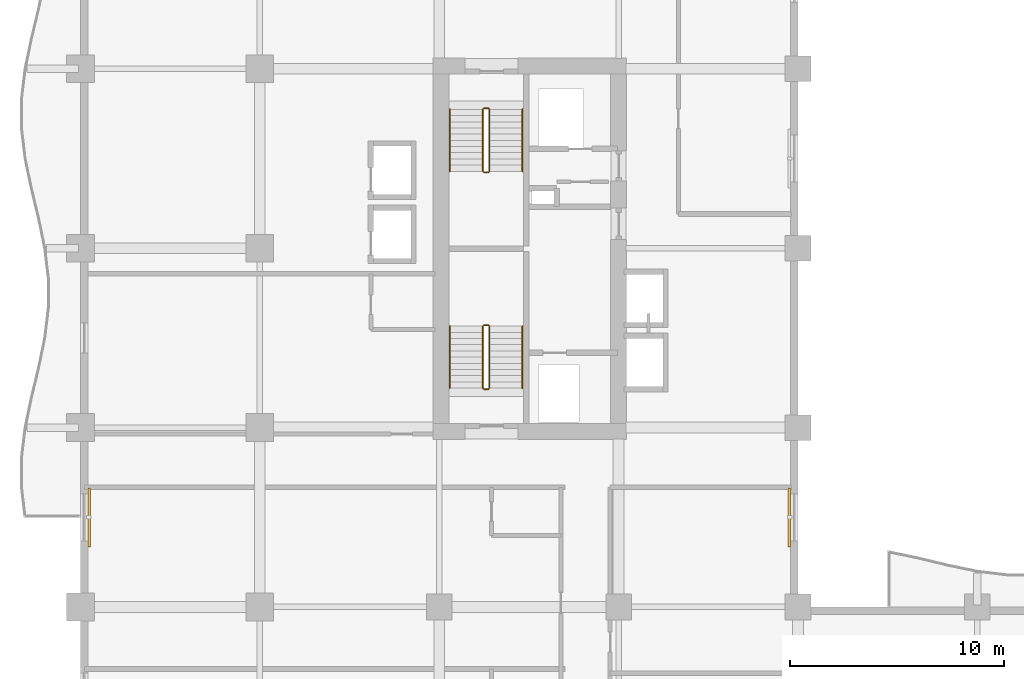
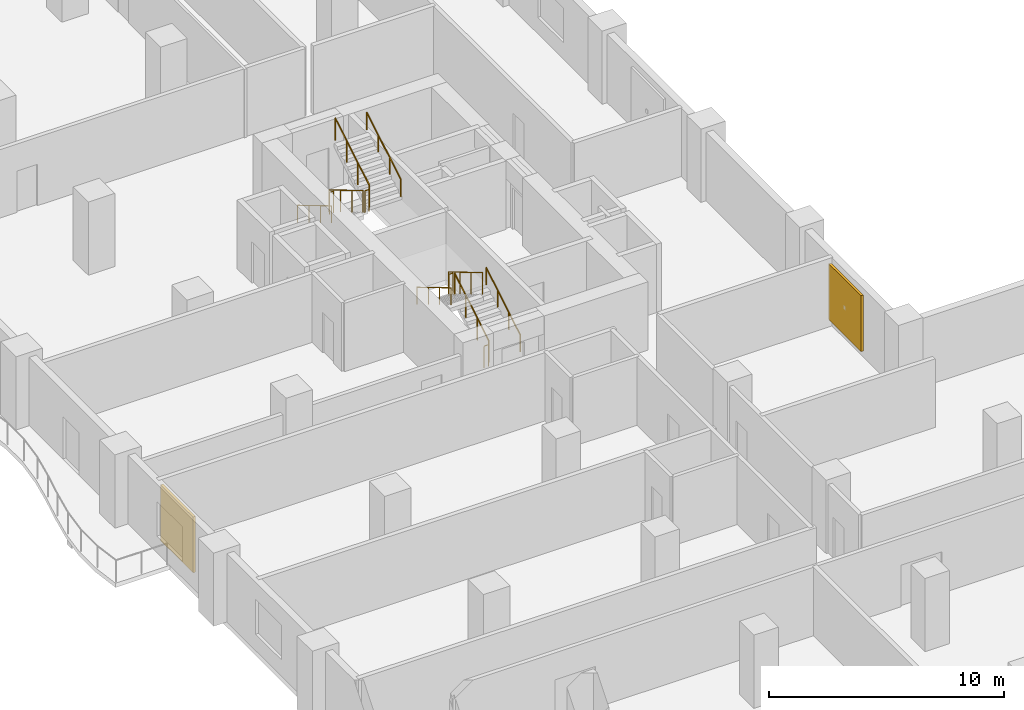
# One storey, part 14 of 15: 12 railings, 2 shading devices.
"""IFC4 building model written with IfcOpenShell, lengths in metres."""

from ifc_helpers import new_model, si_unit, direction, frame, origin, origin_2d, place, context, subcontext, project, spatial, rectangle, circle, extrude, material, layer, layer_set, type_object, element, save


model = new_model("IFC4")

# Units and contexts
model_context = context("Model", 3, precision=1e-05, world=origin(), true_north=direction((0.0, 1.0)))
body_context = subcontext(model_context, "Body", "Model", "MODEL_VIEW")
ifc_project = project(units=[si_unit("LENGTHUNIT", "METRE"), si_unit("AREAUNIT", "SQUARE_METRE"), si_unit("VOLUMEUNIT", "CUBIC_METRE"), si_unit("PLANEANGLEUNIT", "RADIAN"), si_unit("MASSUNIT", "GRAM", prefix="KILO")], contexts=[model_context])

# Site, building, storey
site_placement = place(None, origin())
site = spatial("IfcSite", under=ifc_project, at=site_placement, CompositionType="ELEMENT")
building_placement = place(site_placement, origin())
building = spatial("IfcBuilding", under=site, at=building_placement, Name="Koriwani Terraces Tower", CompositionType="ELEMENT")
storey_placement = place(building_placement, frame((0.0, 0.0, 138.0)))
storey = spatial("IfcBuildingStorey", under=building, at=storey_placement, Name="L33", CompositionType="ELEMENT", Elevation=138.0)

# Railings
ifc_material_1 = material(Name="Steel ASTM A572 Grade 50", Category="steel")
railing_type_1 = type_object("IfcRailingType", Name="GUARD_STAIR_WELL_1120", PredefinedType="GUARDRAIL", material=ifc_material_1)
railing_1_placement = place(storey_placement, frame((19.14990234375, 43.85009765625, 0.172607421875)))
element("IfcRailing", 1, at=railing_1_placement, inside=storey, type_object=railing_type_1, Name="L33 ST-W1 stair guard 1", PredefinedType="GUARDRAIL", context=body_context, shape_type="SweptSolid", body=[
    extrude(circle(Radius=0.02392578125, at=origin_2d()), frame((0.0, 0.0, 1.1259765625), z_axis=(0.0, 0.859141464434, 0.511738159696), x_axis=(-1.0, 0.0, 0.0)), (0.0, 0.0, 1.0), 3.375244140625),
    extrude(circle(Radius=0.02099609375, at=origin_2d()), origin(), (0.0, 0.0, 1.0), 1.101806640625),
    extrude(circle(Radius=0.02099609375, at=origin_2d()), frame((0.0, 0.966552734375, 0.57568359375)), (0.0, 0.0, 1.0), 1.101806640625),
    extrude(circle(Radius=0.02099609375, at=origin_2d()), frame((0.0, 1.933349609375, 1.151611328125)), (0.0, 0.0, 1.0), 1.101806640625),
    extrude(circle(Radius=0.02099609375, at=origin_2d()), frame((0.0, 2.89990234375, 1.727294921875)), (0.0, 0.0, 1.0), 1.101806640625),
])
railing_2_placement = place(storey_placement, frame((19.10009765625, 46.800048828125, 1.89990234375)))
element("IfcRailing", 2, at=railing_2_placement, inside=storey, type_object=railing_type_1, Name="L33 ST-W1 stair guard 2", PredefinedType="GUARDRAIL", context=body_context, shape_type="SweptSolid", body=[
    extrude(circle(Radius=0.02392578125, at=origin_2d()), frame((0.0, 0.0, 1.1259765625), z_axis=(-1.0, 0.0, 0.0), x_axis=(0.0, -1.0, 0.0)), (0.0, 0.0, 1.0), 0.2001953125),
    extrude(circle(Radius=0.02099609375, at=origin_2d()), origin(), (0.0, 0.0, 1.0), 1.101806640625),
    extrude(circle(Radius=0.02099609375, at=origin_2d()), frame((-0.2001953125, 0.0, 0.0)), (0.0, 0.0, 1.0), 1.101806640625),
])
railing_3_placement = place(storey_placement, frame((18.85009765625, 46.75, 2.07275390625)))
element("IfcRailing", 3, at=railing_3_placement, inside=storey, type_object=railing_type_1, Name="L33 ST-W1 stair guard 3", PredefinedType="GUARDRAIL", context=body_context, shape_type="SweptSolid", body=[
    extrude(circle(Radius=0.02392578125, at=origin_2d()), frame((0.0, 0.0, 1.1259765625), z_axis=(0.0, -0.859141464434, 0.511738159696), x_axis=(1.0, 0.0, 0.0)), (0.0, 0.0, 1.0), 3.375244140625),
    extrude(circle(Radius=0.02099609375, at=origin_2d()), origin(), (0.0, 0.0, 1.0), 1.101806640625),
    extrude(circle(Radius=0.02099609375, at=origin_2d()), frame((0.0, -0.966552734375, 0.57568359375)), (0.0, 0.0, 1.0), 1.101806640625),
    extrude(circle(Radius=0.02099609375, at=origin_2d()), frame((0.0, -1.933349609375, 1.151611328125)), (0.0, 0.0, 1.0), 1.101806640625),
    extrude(circle(Radius=0.02099609375, at=origin_2d()), frame((0.0, -2.89990234375, 1.727294921875)), (0.0, 0.0, 1.0), 1.101806640625),
])
railing_4_placement = place(storey_placement, frame((19.10009765625, 43.800048828125, 0.0)))
element("IfcRailing", 4, at=railing_4_placement, inside=storey, type_object=railing_type_1, Name="L33 ST-W1 stair guard 4", PredefinedType="GUARDRAIL", context=body_context, shape_type="SweptSolid", body=[
    extrude(circle(Radius=0.02392578125, at=origin_2d()), frame((0.0, 0.0, 1.1259765625), z_axis=(-1.0, 0.0, 0.0), x_axis=(0.0, -1.0, 0.0)), (0.0, 0.0, 1.0), 0.2001953125),
    extrude(circle(Radius=0.02099609375, at=origin_2d()), origin(), (0.0, 0.0, 1.0), 1.101806640625),
    extrude(circle(Radius=0.02099609375, at=origin_2d()), frame((-0.2001953125, 0.0, 0.0)), (0.0, 0.0, 1.0), 1.101806640625),
])
railing_5_placement = place(storey_placement, frame((18.85009765625, 56.89990234375, 0.172607421875)))
element("IfcRailing", 5, at=railing_5_placement, inside=storey, type_object=railing_type_1, Name="L33 ST-W2 stair guard 1", PredefinedType="GUARDRAIL", context=body_context, shape_type="SweptSolid", body=[
    extrude(circle(Radius=0.02392578125, at=origin_2d()), frame((0.0, 0.0, 1.1259765625), z_axis=(0.0, -0.859141464434, 0.511738159696), x_axis=(1.0, 0.0, 0.0)), (0.0, 0.0, 1.0), 3.375244140625),
    extrude(circle(Radius=0.02099609375, at=origin_2d()), origin(), (0.0, 0.0, 1.0), 1.101806640625),
    extrude(circle(Radius=0.02099609375, at=origin_2d()), frame((0.0, -0.966552734375, 0.57568359375)), (0.0, 0.0, 1.0), 1.101806640625),
    extrude(circle(Radius=0.02099609375, at=origin_2d()), frame((0.0, -1.933349609375, 1.151611328125)), (0.0, 0.0, 1.0), 1.101806640625),
    extrude(circle(Radius=0.02099609375, at=origin_2d()), frame((0.0, -2.89990234375, 1.727294921875)), (0.0, 0.0, 1.0), 1.101806640625),
])
railing_6_placement = place(storey_placement, frame((18.89990234375, 53.949951171875, 1.89990234375)))
element("IfcRailing", 6, at=railing_6_placement, inside=storey, type_object=railing_type_1, Name="L33 ST-W2 stair guard 2", PredefinedType="GUARDRAIL", context=body_context, shape_type="SweptSolid", body=[
    extrude(circle(Radius=0.02392578125, at=origin_2d()), frame((0.0, 0.0, 1.1259765625), z_axis=(1.0, 0.0, 0.0), x_axis=(0.0, 1.0, 0.0)), (0.0, 0.0, 1.0), 0.2001953125),
    extrude(circle(Radius=0.02099609375, at=origin_2d()), origin(), (0.0, 0.0, 1.0), 1.101806640625),
    extrude(circle(Radius=0.02099609375, at=origin_2d()), frame((0.2001953125, 0.0, 0.0)), (0.0, 0.0, 1.0), 1.101806640625),
])
railing_7_placement = place(storey_placement, frame((19.14990234375, 54.0, 2.07275390625)))
element("IfcRailing", 7, at=railing_7_placement, inside=storey, type_object=railing_type_1, Name="L33 ST-W2 stair guard 3", PredefinedType="GUARDRAIL", context=body_context, shape_type="SweptSolid", body=[
    extrude(circle(Radius=0.02392578125, at=origin_2d()), frame((0.0, 0.0, 1.1259765625), z_axis=(0.0, 0.859141464434, 0.511738159696), x_axis=(-1.0, 0.0, 0.0)), (0.0, 0.0, 1.0), 3.375244140625),
    extrude(circle(Radius=0.02099609375, at=origin_2d()), origin(), (0.0, 0.0, 1.0), 1.101806640625),
    extrude(circle(Radius=0.02099609375, at=origin_2d()), frame((0.0, 0.966552734375, 0.57568359375)), (0.0, 0.0, 1.0), 1.101806640625),
    extrude(circle(Radius=0.02099609375, at=origin_2d()), frame((0.0, 1.933349609375, 1.151611328125)), (0.0, 0.0, 1.0), 1.101806640625),
    extrude(circle(Radius=0.02099609375, at=origin_2d()), frame((0.0, 2.89990234375, 1.727294921875)), (0.0, 0.0, 1.0), 1.101806640625),
])
railing_8_placement = place(storey_placement, frame((18.89990234375, 56.949951171875, 0.0)))
element("IfcRailing", 8, at=railing_8_placement, inside=storey, type_object=railing_type_1, Name="L33 ST-W2 stair guard 4", PredefinedType="GUARDRAIL", context=body_context, shape_type="SweptSolid", body=[
    extrude(circle(Radius=0.02392578125, at=origin_2d()), frame((0.0, 0.0, 1.1259765625), z_axis=(1.0, 0.0, 0.0), x_axis=(0.0, 1.0, 0.0)), (0.0, 0.0, 1.0), 0.2001953125),
    extrude(circle(Radius=0.02099609375, at=origin_2d()), origin(), (0.0, 0.0, 1.0), 1.101806640625),
    extrude(circle(Radius=0.02099609375, at=origin_2d()), frame((0.2001953125, 0.0, 0.0)), (0.0, 0.0, 1.0), 1.101806640625),
])
railing_type_2 = type_object("IfcRailingType", Name="HANDRAIL_STAIR_920", PredefinedType="HANDRAIL", material=ifc_material_1)
railing_9_placement = place(storey_placement, frame((20.699951171875, 43.85009765625, 0.172607421875)))
element("IfcRailing", 9, at=railing_9_placement, inside=storey, type_object=railing_type_2, Name="L33 ST-W1 stair handrail 1", PredefinedType="HANDRAIL", context=body_context, shape_type="SweptSolid", body=[
    extrude(circle(Radius=0.02392578125, at=origin_2d()), frame((0.0, 0.0, 0.8759765625), z_axis=(0.0, 0.859141464434, 0.511738159696), x_axis=(-1.0, 0.0, 0.0)), (0.0, 0.0, 1.0), 3.375244140625),
    extrude(circle(Radius=0.02099609375, at=origin_2d()), origin(), (0.0, 0.0, 1.0), 0.851806640625),
    extrude(circle(Radius=0.02099609375, at=origin_2d()), frame((0.0, 0.966552734375, 0.57568359375)), (0.0, 0.0, 1.0), 0.851806640625),
    extrude(circle(Radius=0.02099609375, at=origin_2d()), frame((0.0, 1.933349609375, 1.151611328125)), (0.0, 0.0, 1.0), 0.851806640625),
    extrude(circle(Radius=0.02099609375, at=origin_2d()), frame((0.0, 2.89990234375, 1.727294921875)), (0.0, 0.0, 1.0), 0.851806640625),
])
for number, where, name in (
    (10, (17.300048828125, 46.75, 2.07275390625), "L33 ST-W1 stair handrail 2"),
    (11, (17.300048828125, 56.89990234375, 0.172607421875), "L33 ST-W2 stair handrail 1"),
):
    element("IfcRailing", number, at=place(storey_placement, frame(where)), inside=storey, type_object=railing_type_2, Name=name, PredefinedType="HANDRAIL", context=body_context, shape_type="SweptSolid", body=[
        extrude(circle(Radius=0.02392578125, at=origin_2d()), frame((0.0, 0.0, 0.8759765625), z_axis=(0.0, -0.859141464434, 0.511738159696), x_axis=(1.0, 0.0, 0.0)), (0.0, 0.0, 1.0), 3.375244140625),
        extrude(circle(Radius=0.02099609375, at=origin_2d()), origin(), (0.0, 0.0, 1.0), 0.851806640625),
        extrude(circle(Radius=0.02099609375, at=origin_2d()), frame((0.0, -0.966552734375, 0.57568359375)), (0.0, 0.0, 1.0), 0.851806640625),
        extrude(circle(Radius=0.02099609375, at=origin_2d()), frame((0.0, -1.933349609375, 1.151611328125)), (0.0, 0.0, 1.0), 0.851806640625),
        extrude(circle(Radius=0.02099609375, at=origin_2d()), frame((0.0, -2.89990234375, 1.727294921875)), (0.0, 0.0, 1.0), 0.851806640625),
    ])
railing_10_placement = place(storey_placement, frame((20.699951171875, 54.0, 2.07275390625)))
element("IfcRailing", 12, at=railing_10_placement, inside=storey, type_object=railing_type_2, Name="L33 ST-W2 stair handrail 2", PredefinedType="HANDRAIL", context=body_context, shape_type="SweptSolid", body=[
    extrude(circle(Radius=0.02392578125, at=origin_2d()), frame((0.0, 0.0, 0.8759765625), z_axis=(0.0, 0.859141464434, 0.511738159696), x_axis=(-1.0, 0.0, 0.0)), (0.0, 0.0, 1.0), 3.375244140625),
    extrude(circle(Radius=0.02099609375, at=origin_2d()), origin(), (0.0, 0.0, 1.0), 0.851806640625),
    extrude(circle(Radius=0.02099609375, at=origin_2d()), frame((0.0, 0.966552734375, 0.57568359375)), (0.0, 0.0, 1.0), 0.851806640625),
    extrude(circle(Radius=0.02099609375, at=origin_2d()), frame((0.0, 1.933349609375, 1.151611328125)), (0.0, 0.0, 1.0), 0.851806640625),
    extrude(circle(Radius=0.02099609375, at=origin_2d()), frame((0.0, 2.89990234375, 1.727294921875)), (0.0, 0.0, 1.0), 0.851806640625),
])

# Shading devices
ifc_material_2 = material(Name="Extruded Terracotta Clay", Category="masonry")
ifc_layer = layer(ifc_material_2, 0.1201171875, Name="Extruded Terracotta Clay")
ifc_layer_set = layer_set([ifc_layer], Name="Extruded Terracotta Clay")
shading_device_type = type_object("IfcShadingDeviceType", Name="TERRACOTTA_BAGUETTE_SCREEN_2800", PredefinedType="USERDEFINED", material=ifc_layer_set)
for number, where, z_axis, x_axis, name in (
    (13, (0.405029296875, 37.800048828125, 0.324951171875), (0.0, 0.0, 1.0), (0.0, 1.0, 0.0), "L33 Extruded Terracotta Baguette Screen (W-12)"),
    (14, (33.195068359375, 37.800048828125, 0.324951171875), (0.0, 0.0, 1.0), (0.0, -1.0, 0.0), "L33 Extruded Terracotta Baguette Screen (NW_IN-2)"),
):
    element("IfcShadingDevice", number, at=place(storey_placement, frame(where, z_axis=z_axis, x_axis=x_axis)), inside=storey, type_object=shading_device_type, Name=name, ObjectType="BAGUETTE", PredefinedType="USERDEFINED", context=body_context, shape_type="SweptSolid", body=[
        extrude(rectangle(XDim=2.760009765625, YDim=0.1201171875, at=origin_2d()), origin(), (0.0, 0.0, 1.0), 2.89990234375),
    ])

save(model, "model.ifc")
